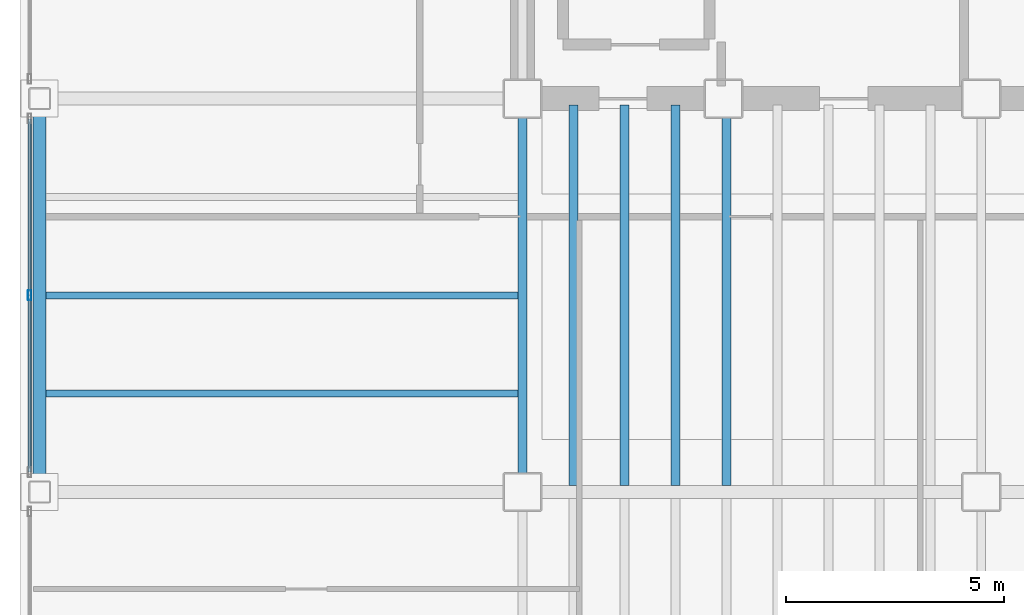
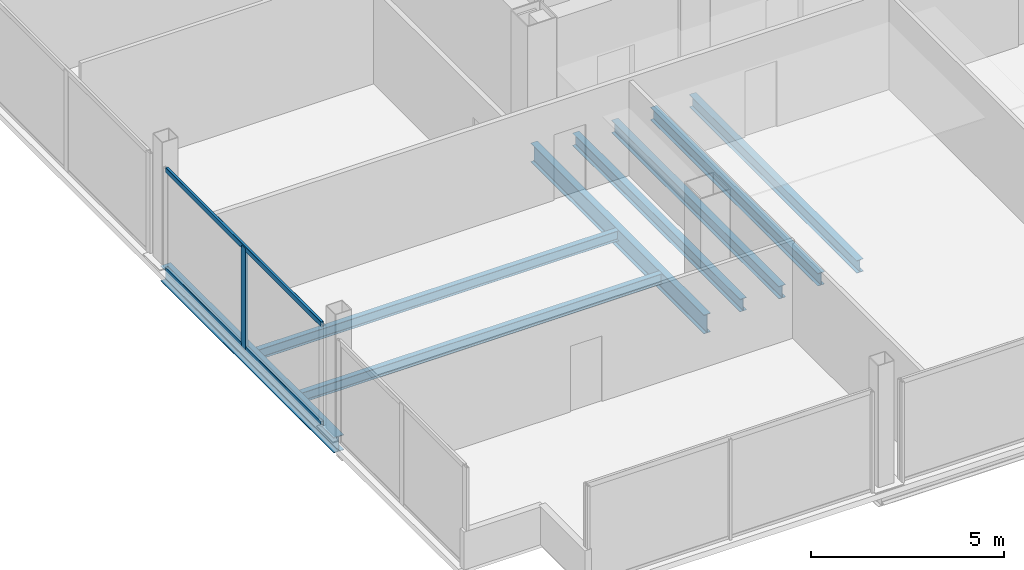
# One storey, part 3 of 20: 8 beams, 3 members, 1 element without a shape of its own.
"""IFC4 building model written with IfcOpenShell, lengths in metres."""

from ifc_helpers import new_model, si_unit, direction, frame, origin, origin_2d, place, context, subcontext, project, spatial, hollow_rectangle, i_section, extrude, material, material_profile, profile_set, type_object, element, aggregate, save


model = new_model("IFC4")

# Units and contexts
model_context = context("Model", 3, precision=1e-05, world=origin(), true_north=direction((0.0, 1.0)))
body_context = subcontext(model_context, "Body", "Model", "MODEL_VIEW")
ifc_project = project(units=[si_unit("LENGTHUNIT", "METRE"), si_unit("AREAUNIT", "SQUARE_METRE"), si_unit("VOLUMEUNIT", "CUBIC_METRE"), si_unit("PLANEANGLEUNIT", "RADIAN"), si_unit("MASSUNIT", "GRAM", prefix="KILO")], contexts=[model_context])

# Site, building, storey
site_placement = place(None, origin())
site = spatial("IfcSite", under=ifc_project, at=site_placement, CompositionType="ELEMENT")
building_placement = place(site_placement, origin())
building = spatial("IfcBuilding", under=site, at=building_placement, Name="Noeulbin Bourse Tower", CompositionType="ELEMENT")
storey_placement = place(building_placement, frame((0.0, 0.0, 126.60009765625)))
storey = spatial("IfcBuildingStorey", under=building, at=storey_placement, Name="L31", CompositionType="ELEMENT", Elevation=126.60009765625)

# Beams
ifc_material_1 = material(Name="Steel S355", Category="steel")
ifc_material_profile_1 = material_profile(ifc_material_1, i_section(OverallWidth=0.199951171875, OverallDepth=0.60009765625, WebThickness=0.010986328125, FlangeThickness=0.01708984375, FilletRadius=0.02197265625, at=origin_2d()), Name="H-600x200x11x17", Category="LoadBearing")
ifc_profile_set_1 = profile_set([ifc_material_profile_1], Name="Steel S355")
beam_type_1 = type_object("IfcBeamType", Name="BM-GRD-600", PredefinedType="USERDEFINED", material=ifc_profile_set_1)
beam_1_placement = place(storey_placement, frame((13.5, 20.0, -0.47998046875), z_axis=(0.0, 1.0, 0.0), x_axis=(-1.0, 0.0, 0.0)))
element("IfcBeam", 1, at=beam_1_placement, inside=storey, type_object=beam_type_1, Name="Tower Primary Girder NS L31-1.2", ObjectType="GIRDER", PredefinedType="USERDEFINED", context=body_context, shape_type="SweptSolid", body=[
    extrude(i_section(OverallWidth=0.199951171875, OverallDepth=0.60009765625, WebThickness=0.010986328125, FlangeThickness=0.01708984375, FilletRadius=0.02197265625, at=origin_2d()), origin(), (0.0, 0.0, 1.0), 9.0),
])
ifc_material_profile_2 = material_profile(ifc_material_1, i_section(OverallWidth=0.159912109375, OverallDepth=0.320068359375, WebThickness=0.006591796875, FlangeThickness=0.010009765625, FilletRadius=0.012939453125, at=origin_2d()), Name="H-320x160x6.5x10", Category="LoadBearing")
ifc_profile_set_2 = profile_set([ifc_material_profile_2], Name="Steel S355")
beam_type_2 = type_object("IfcBeamType", Name="BM-JST-320", PredefinedType="JOIST", material=ifc_profile_set_2)
for number, where, z_axis, x_axis, name in (
    (2, (2.60009765625, 22.25, -0.340087890625), (1.0, 0.0, 0.0), (0.0, 1.0, 0.0), "Wing Composite Joist L31-W47"),
    (3, (2.60009765625, 24.5, -0.340087890625), (1.0, 0.0, 0.0), (0.0, 1.0, 0.0), "Wing Composite Joist L31-W48"),
):
    element("IfcBeam", number, at=place(storey_placement, frame(where, z_axis=z_axis, x_axis=x_axis)), inside=storey, type_object=beam_type_2, Name=name, PredefinedType="JOIST", context=body_context, shape_type="SweptSolid", body=[
        extrude(i_section(OverallWidth=0.159912109375, OverallDepth=0.320068359375, WebThickness=0.006591796875, FlangeThickness=0.010009765625, FilletRadius=0.012939453125, at=origin_2d()), origin(), (0.0, 0.0, 1.0), 10.7998046875),
    ])
ifc_material_profile_3 = material_profile(ifc_material_1, i_section(OverallWidth=0.199951171875, OverallDepth=0.39990234375, WebThickness=0.008056640625, FlangeThickness=0.012939453125, FilletRadius=0.01611328125, at=origin_2d()), Name="H-400x200x8x13", Category="LoadBearing")
ifc_profile_set_3 = profile_set([ifc_material_profile_3], Name="Steel S355")
beam_type_3 = type_object("IfcBeamType", Name="BM-SEC-400", PredefinedType="BEAM", material=ifc_profile_set_3)
for number, where, z_axis, x_axis, name in (
    (4, (14.666748046875, 20.14990234375, -0.380126953125), (0.0, 1.0, 0.0), (-1.0, 0.0, 0.0), "Tower Composite Joist L31-02"),
    (5, (15.833251953125, 20.14990234375, -0.380126953125), (0.0, 1.0, 0.0), (-1.0, 0.0, 0.0), "Tower Composite Joist L31-04"),
    (6, (17.0, 20.14990234375, -0.380126953125), (0.0, 1.0, 0.0), (-1.0, 0.0, 0.0), "Tower Composite Joist L31-06"),
    (7, (18.166748046875, 20.14990234375, -0.380126953125), (0.0, 1.0, 0.0), (-1.0, 0.0, 0.0), "Tower Composite Joist L31-08"),
):
    element("IfcBeam", number, at=place(storey_placement, frame(where, z_axis=z_axis, x_axis=x_axis)), inside=storey, type_object=beam_type_3, Name=name, PredefinedType="BEAM", context=body_context, shape_type="SweptSolid", body=[
        extrude(i_section(OverallWidth=0.199951171875, OverallDepth=0.39990234375, WebThickness=0.008056640625, FlangeThickness=0.012939453125, FilletRadius=0.01611328125, at=origin_2d()), origin(), (0.0, 0.0, 1.0), 8.7001953125),
    ])
ifc_material_profile_4 = material_profile(ifc_material_1, i_section(OverallWidth=0.300048828125, OverallDepth=0.488037109375, WebThickness=0.010986328125, FlangeThickness=0.01806640625, FilletRadius=0.02197265625, at=origin_2d()), Name="H-488x300x11x18", Category="LoadBearing")
ifc_profile_set_4 = profile_set([ifc_material_profile_4], Name="Steel S355")
beam_type_4 = type_object("IfcBeamType", Name="BM-SPN-488", PredefinedType="SPANDREL", material=ifc_profile_set_4)
beam_2_placement = place(storey_placement, frame((2.449951171875, 20.0, -0.424072265625), z_axis=(0.0, 1.0, 0.0), x_axis=(-1.0, 0.0, 0.0)))
element("IfcBeam", 8, at=beam_2_placement, inside=storey, type_object=beam_type_4, Name="West Spandrel L31-1", PredefinedType="SPANDREL", context=body_context, shape_type="SweptSolid", body=[
    extrude(i_section(OverallWidth=0.300048828125, OverallDepth=0.488037109375, WebThickness=0.010986328125, FlangeThickness=0.01806640625, FilletRadius=0.02197265625, at=origin_2d()), origin(), (0.0, 0.0, 1.0), 9.0),
])

# Curtain wall, members
ifc_material_2 = material(Name="Dark Tinted Triple Glazing", Category="glass")
curtain_wall_type = type_object("IfcCurtainWallType", Name="CW-SYS-3", PredefinedType="NOTDEFINED", material=ifc_material_2)
curtain_wall_placement = place(storey_placement, origin())
curtain_wall = element("IfcCurtainWall", 9, at=curtain_wall_placement, inside=storey, type_object=curtain_wall_type, Name="Unitised Curtain Wall CW-L31-W-S2", PredefinedType="NOTDEFINED")
ifc_material_3 = material(Name="Anodised Aluminium 6063-T6", Category="aluminium")
ifc_material_profile_5 = material_profile(ifc_material_3, hollow_rectangle(XDim=0.074951171875, YDim=0.219970703125, WallThickness=0.0048828125, InnerFilletRadius=0.00244140625, OuterFilletRadius=0.0048828125, at=origin_2d()), Name="ALU-MULL-75x220x5", Category="LoadBearing")
ifc_profile_set_5 = profile_set([ifc_material_profile_5], Name="Anodised Aluminium 6063-T6")
member_type_1 = type_object("IfcMemberType", Name="CW-SYS-3-MUL", PredefinedType="MULLION", material=ifc_profile_set_5)
member_1_placement = place(storey_placement, frame((2.219970703125, 24.5, -0.02001953125), z_axis=(0.0, 0.0, 1.0), x_axis=(1.0, 0.0, 0.0)))
member_1 = element("IfcMember", 10, at=member_1_placement, type_object=member_type_1, Name="Curtain Wall Mullion CW-L31-W-S2-M01", PredefinedType="MULLION", context=body_context, shape_type="SweptSolid", body=[
    extrude(hollow_rectangle(XDim=0.074951171875, YDim=0.219970703125, WallThickness=0.0048828125, InnerFilletRadius=0.00244140625, OuterFilletRadius=0.0048828125, at=origin_2d()), origin(), (0.0, 0.0, 1.0), 3.219970703125),
])
ifc_material_profile_6 = material_profile(ifc_material_3, hollow_rectangle(XDim=0.074951171875, YDim=0.159912109375, WallThickness=0.0048828125, InnerFilletRadius=0.00244140625, OuterFilletRadius=0.0048828125, at=origin_2d()), Name="ALU-TRAN-75x160x5", Category="LoadBearing")
ifc_profile_set_6 = profile_set([ifc_material_profile_6], Name="Anodised Aluminium 6063-T6")
member_type_2 = type_object("IfcMemberType", Name="CW-SYS-3-TRN", PredefinedType="USERDEFINED", material=ifc_profile_set_6)
member_2_placement = place(storey_placement, frame((2.219970703125, 20.4599609375, 0.010009765625), z_axis=(0.0, 1.0, 0.0), x_axis=(-1.0, 0.0, 0.0)))
member_2 = element("IfcMember", 11, at=member_2_placement, type_object=member_type_2, Name="Curtain Wall Transom CW-L31-W-S2-T00", ObjectType="TRANSOM", PredefinedType="USERDEFINED", context=body_context, shape_type="SweptSolid", body=[
    extrude(hollow_rectangle(XDim=0.074951171875, YDim=0.159912109375, WallThickness=0.0048828125, InnerFilletRadius=0.00244140625, OuterFilletRadius=0.0048828125, at=origin_2d()), origin(), (0.0, 0.0, 1.0), 8.080078125),
])
member_3_placement = place(storey_placement, frame((2.219970703125, 20.4599609375, 3.169921875), z_axis=(0.0, 1.0, 0.0), x_axis=(-1.0, 0.0, 0.0)))
member_3 = element("IfcMember", 12, at=member_3_placement, type_object=member_type_2, Name="Curtain Wall Transom CW-L31-W-S2-T01", ObjectType="TRANSOM", PredefinedType="USERDEFINED", context=body_context, shape_type="SweptSolid", body=[
    extrude(hollow_rectangle(XDim=0.074951171875, YDim=0.159912109375, WallThickness=0.0048828125, InnerFilletRadius=0.00244140625, OuterFilletRadius=0.0048828125, at=origin_2d()), origin(), (0.0, 0.0, 1.0), 8.080078125),
])
aggregate(curtain_wall, [member_1, member_2, member_3])

save(model, "model.ifc")
